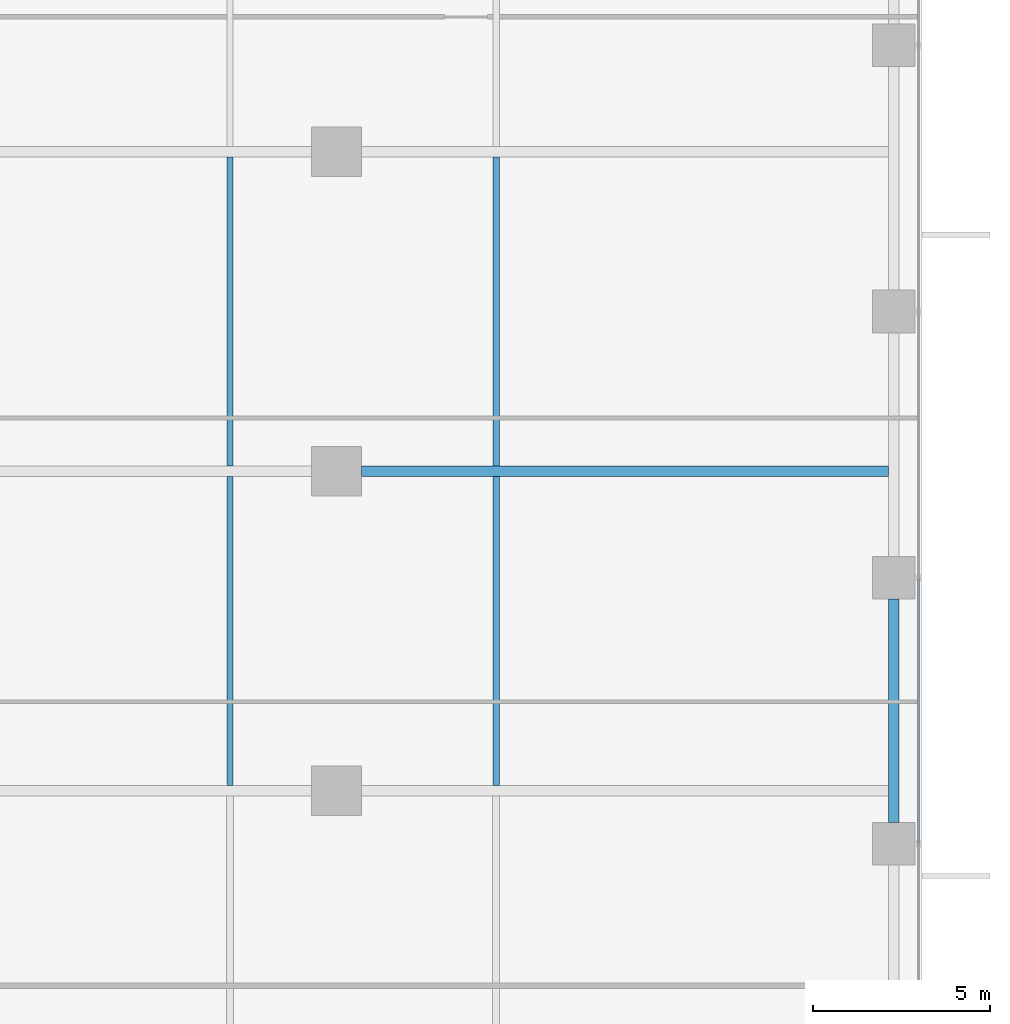
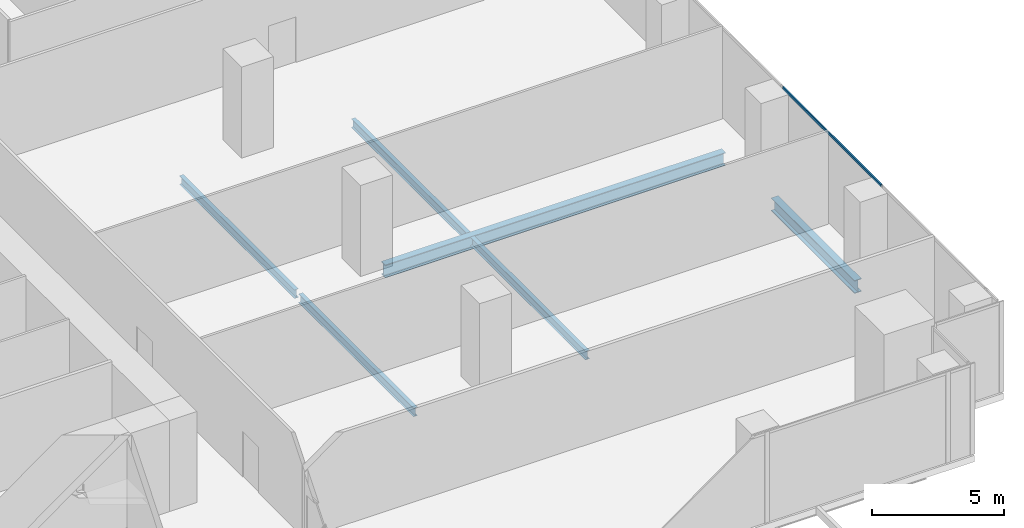
# One storey, part 10 of 33: 6 beams, 1 member, 1 element without a shape of its own.
"""IFC4 building model written with IfcOpenShell, lengths in metres."""

from ifc_helpers import new_model, si_unit, direction, frame, origin, origin_2d, place, context, subcontext, project, spatial, hollow_rectangle, i_section, extrude, source, transform, mapped, material, material_profile, profile_set, type_object, element, aggregate, save


model = new_model("IFC4")

# Units and contexts
model_context = context("Model", 3, precision=1e-05, world=origin(), true_north=direction((0.0, 1.0)))
body_context = subcontext(model_context, "Body", "Model", "MODEL_VIEW")
ifc_project = project(units=[si_unit("LENGTHUNIT", "METRE"), si_unit("AREAUNIT", "SQUARE_METRE"), si_unit("VOLUMEUNIT", "CUBIC_METRE"), si_unit("PLANEANGLEUNIT", "RADIAN"), si_unit("MASSUNIT", "GRAM", prefix="KILO")], contexts=[model_context])

# Site, building, storey
site_placement = place(None, origin())
site = spatial("IfcSite", under=ifc_project, at=site_placement, CompositionType="ELEMENT")
building_placement = place(site_placement, origin())
building = spatial("IfcBuilding", under=site, at=building_placement, Name="Khomas Fold Tower", CompositionType="ELEMENT")
storey_placement = place(building_placement, frame((0.0, 0.0, 55.5)))
storey = spatial("IfcBuildingStorey", under=building, at=storey_placement, Name="L11", CompositionType="ELEMENT", Elevation=55.5)

# Beams
ifc_material_1 = material(Name="Steel S355", Category="steel")
ifc_material_profile_1 = material_profile(ifc_material_1, i_section(OverallWidth=0.179931640625, OverallDepth=0.39990234375, WebThickness=0.008544921875, FlangeThickness=0.013427734375, at=origin_2d()), Name="IPE 400")
ifc_profile_set_1 = profile_set([ifc_material_profile_1], Name="Steel S355")
beam_type_1 = type_object("IfcBeamType", Name="IPE 400 beam JB3", PredefinedType="BEAM", material=ifc_profile_set_1)
shared_shape_1 = source(origin(), body_context, "Body", "SweptSolid", [
    extrude(i_section(OverallWidth=0.179931640625, OverallDepth=0.39990234375, WebThickness=0.008544921875, FlangeThickness=0.013427734375, at=origin_2d()), origin(), (0.0, 0.0, 1.0), 8.7001953125),
])
for number, where, z_axis, x_axis, name in (
    (1, (34.5, 13.64990234375, -0.5), (0.0, 1.0, 0.0), (-1.0, 0.0, 0.0), "JB3"),
    (2, (34.5, 22.64990234375, -0.5), (0.0, 1.0, 0.0), (-1.0, 0.0, 0.0), "JB3"),
    (3, (42.0, 13.64990234375, -0.5), (0.0, 1.0, 0.0), (-1.0, 0.0, 0.0), "JB3"),
    (4, (42.0, 22.64990234375, -0.5), (0.0, 1.0, 0.0), (-1.0, 0.0, 0.0), "JB3"),
):
    element("IfcBeam", number, at=place(storey_placement, frame(where, z_axis=z_axis, x_axis=x_axis)), inside=storey, type_object=beam_type_1, Name=name, PredefinedType="BEAM", context=body_context, shape_type="MappedRepresentation", body=[
        mapped(shared_shape_1, transform((0.0, 0.0, 0.0))),
    ])
ifc_material_2 = material(Name="Steel S355", Category="steel")
ifc_material_profile_2 = material_profile(ifc_material_2, i_section(OverallWidth=0.300048828125, OverallDepth=0.60009765625, WebThickness=0.015380859375, FlangeThickness=0.030029296875, at=origin_2d()), Name="HE 600 B")
ifc_profile_set_2 = profile_set([ifc_material_profile_2], Name="Steel S355")
beam_type_2 = type_object("IfcBeamType", Name="HE 600 B spandrel SB1", PredefinedType="SPANDREL", material=ifc_profile_set_2)
shared_shape_2 = source(origin(), body_context, "Body", "SweptSolid", [
    extrude(i_section(OverallWidth=0.300048828125, OverallDepth=0.60009765625, WebThickness=0.015380859375, FlangeThickness=0.030029296875, at=origin_2d()), origin(), (0.0, 0.0, 1.0), 6.2998046875),
])
beam_1_placement = place(storey_placement, frame((53.199951171875, 12.60009765625, -0.60009765625), z_axis=(0.0, 1.0, 0.0), x_axis=(-1.0, 0.0, 0.0)))
element("IfcBeam", 5, at=beam_1_placement, inside=storey, type_object=beam_type_2, Name="SB1", PredefinedType="SPANDREL", context=body_context, shape_type="MappedRepresentation", body=[
    mapped(shared_shape_2, transform((0.0, 0.0, 0.0))),
])
ifc_material_3 = material(Name="Steel S355", Category="steel")
ifc_material_profile_3 = material_profile(ifc_material_3, i_section(OverallWidth=0.300048828125, OverallDepth=0.60009765625, WebThickness=0.015380859375, FlangeThickness=0.030029296875, at=origin_2d()), Name="HE 600 B")
ifc_profile_set_3 = profile_set([ifc_material_profile_3], Name="Steel S355")
beam_type_3 = type_object("IfcBeamType", Name="HE 600 B beam GB5", PredefinedType="BEAM", material=ifc_profile_set_3)
shared_shape_3 = source(origin(), body_context, "Body", "SweptSolid", [
    extrude(i_section(OverallWidth=0.300048828125, OverallDepth=0.60009765625, WebThickness=0.015380859375, FlangeThickness=0.030029296875, at=origin_2d()), origin(), (0.0, 0.0, 1.0), 14.85009765625),
])
beam_2_placement = place(storey_placement, frame((38.199951171875, 22.5, -0.60009765625), z_axis=(1.0, 0.0, 0.0), x_axis=(0.0, 1.0, 0.0)))
element("IfcBeam", 6, at=beam_2_placement, inside=storey, type_object=beam_type_3, Name="GB5", PredefinedType="BEAM", context=body_context, shape_type="MappedRepresentation", body=[
    mapped(shared_shape_3, transform((0.0, 0.0, 0.0))),
])

# Curtain wall, member
ifc_material_4 = material(Name="Aluminium framed double glazing", Category="aluminium")
curtain_wall_type = type_object("IfcCurtainWallType", Name="SK-Unitised clear-glass wall, growing floors CW1", PredefinedType="NOTDEFINED", material=ifc_material_4)
curtain_wall_placement = place(storey_placement, origin())
curtain_wall = element("IfcCurtainWall", 7, at=curtain_wall_placement, inside=storey, type_object=curtain_wall_type, Name="CW1 run L11 03-0", PredefinedType="NOTDEFINED")
ifc_material_5 = material(Name="Aluminium", Category="aluminium")
ifc_material_profile_4 = material_profile(ifc_material_5, hollow_rectangle(XDim=0.06005859375, YDim=0.1201171875, WallThickness=0.00390625, at=origin_2d()), Name="SK-Unitised clear-glass wall, growing floors transom CW1-T")
ifc_profile_set_4 = profile_set([ifc_material_profile_4], Name="Aluminium")
member_type = type_object("IfcMemberType", Name="SK-Unitised clear-glass wall, growing floors transom CW1-T", PredefinedType="USERDEFINED", material=ifc_profile_set_4)
shared_shape_4 = source(origin(), body_context, "Body", "SweptSolid", [
    extrude(hollow_rectangle(XDim=0.06005859375, YDim=0.1201171875, WallThickness=0.00390625, at=origin_2d()), origin(), (0.0, 0.0, 1.0), 7.43994140625),
])
member_placement = place(storey_placement, frame((53.89990234375, 12.030029296875, 4.139892578125), z_axis=(0.0, 1.0, 0.0), x_axis=(-1.0, 0.0, 0.0)))
member = element("IfcMember", 8, at=member_placement, type_object=member_type, Name="CW1 transom 3", ObjectType="TRANSOM", PredefinedType="USERDEFINED", context=body_context, shape_type="MappedRepresentation", body=[
    mapped(shared_shape_4, transform((0.0, 0.0, 0.0))),
])
aggregate(curtain_wall, [member])

save(model, "model.ifc")
